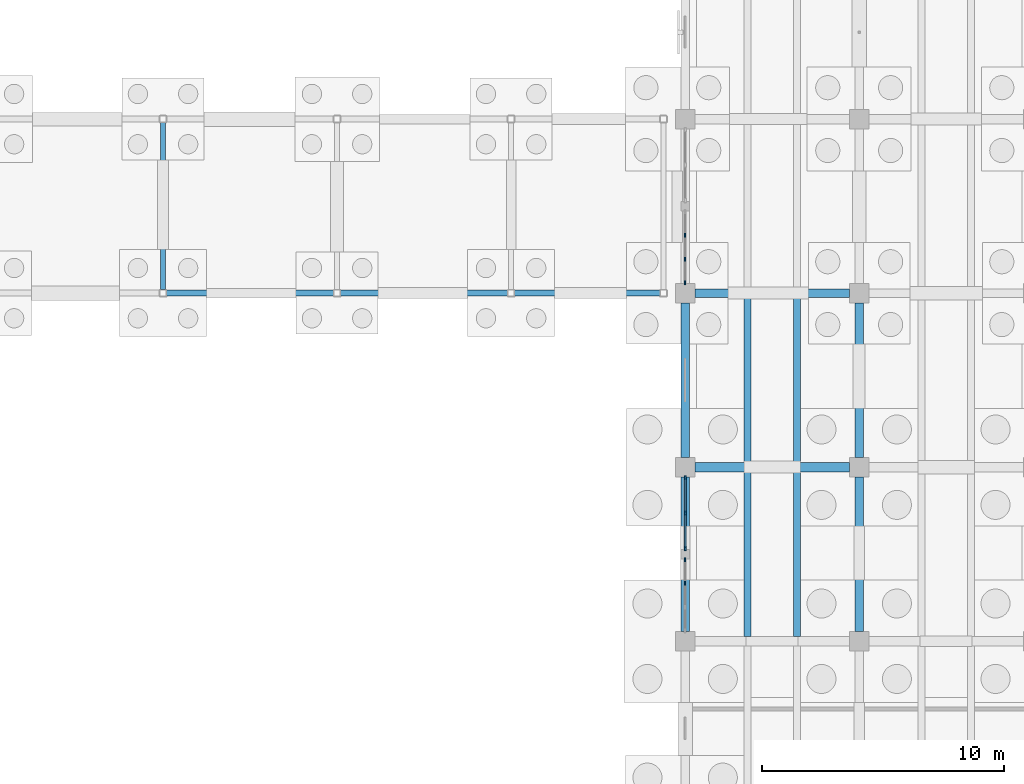
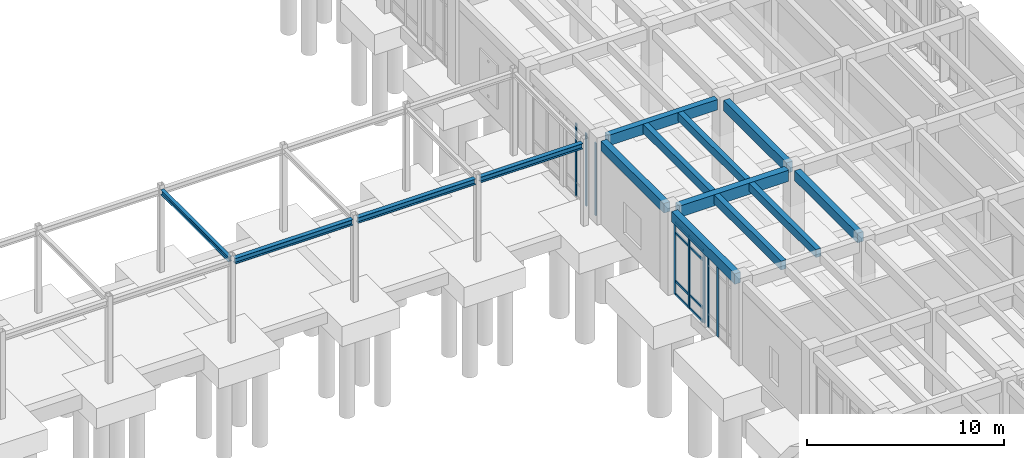
# One storey, part 38 of 93: 16 members, 14 beams, 3 elements without a shape of their own.
"""IFC4 building model written with IfcOpenShell, lengths in metres."""

from ifc_helpers import new_model, si_unit, direction, frame, origin, origin_2d, place, context, subcontext, project, spatial, rectangle, i_section, extrude, material, layer, layer_set, material_profile, profile_set, type_object, element, aggregate, save


model = new_model("IFC4")

# Units and contexts
model_context = context("Model", 3, precision=1e-05, world=origin(), true_north=direction((0.0, 1.0)))
body_context = subcontext(model_context, "Body", "Model", "MODEL_VIEW")
ifc_project = project(units=[si_unit("LENGTHUNIT", "METRE"), si_unit("AREAUNIT", "SQUARE_METRE"), si_unit("VOLUMEUNIT", "CUBIC_METRE"), si_unit("PLANEANGLEUNIT", "RADIAN"), si_unit("MASSUNIT", "GRAM", prefix="KILO")], contexts=[model_context])

# Site, building, storey
site_placement = place(None, origin())
site = spatial("IfcSite", under=ifc_project, at=site_placement, CompositionType="ELEMENT")
building_placement = place(site_placement, origin())
building = spatial("IfcBuilding", under=site, at=building_placement, Name="Koriwan Promenade Central Fire Station", CompositionType="ELEMENT")
storey_placement = place(building_placement, origin())
storey = spatial("IfcBuildingStorey", under=building, at=storey_placement, Name="L00", CompositionType="ELEMENT", Elevation=0.0)

# Beams
ifc_material_1 = material(Name="Concrete C35/45", Category="concrete")
ifc_material_profile_1 = material_profile(ifc_material_1, rectangle(XDim=0.300048828125, YDim=0.5, at=origin_2d()), Name="RC-BM-300x500")
ifc_profile_set_1 = profile_set([ifc_material_profile_1], Name="Concrete C35/45")
beam_type_1 = type_object("IfcBeamType", Name="Beam_RC-BM-300x500", PredefinedType="JOIST", material=ifc_profile_set_1)
beam_1_placement = place(storey_placement, frame((155.823974609375, 29.0, 4.89990234375), z_axis=(0.0, 1.0, 0.0), x_axis=(-1.0, 0.0, 0.0)))
element("IfcBeam", 1, at=beam_1_placement, inside=storey, type_object=beam_type_1, Name="V5 L00 secondary joist 583", PredefinedType="JOIST", context=body_context, shape_type="SweptSolid", body=[
    extrude(rectangle(XDim=0.300048828125, YDim=0.5, at=origin_2d()), origin(), (0.0, 0.0, 1.0), 6.800048828125),
])
beam_2_placement = place(storey_placement, frame((155.823974609375, 36.199951171875, 4.89990234375), z_axis=(0.0, 1.0, 0.0), x_axis=(-1.0, 0.0, 0.0)))
element("IfcBeam", 2, at=beam_2_placement, inside=storey, type_object=beam_type_1, Name="V5 L00 secondary joist 589", PredefinedType="JOIST", context=body_context, shape_type="SweptSolid", body=[
    extrude(rectangle(XDim=0.300048828125, YDim=0.5, at=origin_2d()), origin(), (0.0, 0.0, 1.0), 6.824951171875),
])
ifc_material_profile_2 = material_profile(ifc_material_1, rectangle(XDim=0.300048828125, YDim=0.550048828125, at=origin_2d()), Name="RC-BM-300x550")
ifc_profile_set_2 = profile_set([ifc_material_profile_2], Name="Concrete C35/45")
beam_type_2 = type_object("IfcBeamType", Name="Beam_RC-BM-300x550", PredefinedType="JOIST", material=ifc_profile_set_2)
beam_3_placement = place(storey_placement, frame((153.77587890625, 29.0, 4.875), z_axis=(0.0, 1.0, 0.0), x_axis=(-1.0, 0.0, 0.0)))
element("IfcBeam", 3, at=beam_3_placement, inside=storey, type_object=beam_type_2, Name="V5 L00 secondary joist 582", PredefinedType="JOIST", context=body_context, shape_type="SweptSolid", body=[
    extrude(rectangle(XDim=0.300048828125, YDim=0.550048828125, at=origin_2d()), origin(), (0.0, 0.0, 1.0), 6.800048828125),
])
beam_4_placement = place(storey_placement, frame((153.77587890625, 36.199951171875, 4.875), z_axis=(0.0, 1.0, 0.0), x_axis=(-1.0, 0.0, 0.0)))
element("IfcBeam", 4, at=beam_4_placement, inside=storey, type_object=beam_type_2, Name="V5 L00 secondary joist 588", PredefinedType="JOIST", context=body_context, shape_type="SweptSolid", body=[
    extrude(rectangle(XDim=0.300048828125, YDim=0.550048828125, at=origin_2d()), origin(), (0.0, 0.0, 1.0), 6.824951171875),
])
ifc_material_profile_3 = material_profile(ifc_material_1, rectangle(XDim=0.35009765625, YDim=0.60009765625, at=origin_2d()), Name="RC-BM-350x600")
ifc_profile_set_3 = profile_set([ifc_material_profile_3], Name="Concrete C35/45")
beam_type_3 = type_object("IfcBeamType", Name="Beam_RC-BM-350x600", PredefinedType="BEAM", material=ifc_profile_set_3)
for number, where, z_axis, x_axis, name in (
    (5, (151.199951171875, 36.39990234375, 4.85009765625), (0.0, 1.0, 0.0), (-1.0, 0.0, 0.0), "V5 L00 girder Y-524"),
    (6, (158.39990234375, 29.199951171875, 4.85009765625), (0.0, 1.0, 0.0), (-1.0, 0.0, 0.0), "V5 L00 girder Y-534"),
):
    element("IfcBeam", number, at=place(storey_placement, frame(where, z_axis=z_axis, x_axis=x_axis)), inside=storey, type_object=beam_type_3, Name=name, PredefinedType="BEAM", context=body_context, shape_type="SweptSolid", body=[
        extrude(rectangle(XDim=0.35009765625, YDim=0.60009765625, at=origin_2d()), origin(), (0.0, 0.0, 1.0), 6.400146484375),
    ])
ifc_material_profile_4 = material_profile(ifc_material_1, rectangle(XDim=0.35009765625, YDim=0.64990234375, at=origin_2d()), Name="RC-BM-350x650")
ifc_profile_set_4 = profile_set([ifc_material_profile_4], Name="Concrete C35/45")
beam_type_4 = type_object("IfcBeamType", Name="Beam_RC-BM-350x650", PredefinedType="BEAM", material=ifc_profile_set_4)
for number, where, z_axis, x_axis, name in (
    (7, (151.199951171875, 29.199951171875, 4.824951171875), (0.0, 1.0, 0.0), (-1.0, 0.0, 0.0), "V5 L00 girder Y-523"),
    (8, (158.39990234375, 36.39990234375, 4.824951171875), (0.0, 1.0, 0.0), (-1.0, 0.0, 0.0), "V5 L00 girder Y-535"),
):
    element("IfcBeam", number, at=place(storey_placement, frame(where, z_axis=z_axis, x_axis=x_axis)), inside=storey, type_object=beam_type_4, Name=name, PredefinedType="BEAM", context=body_context, shape_type="SweptSolid", body=[
        extrude(rectangle(XDim=0.35009765625, YDim=0.64990234375, at=origin_2d()), origin(), (0.0, 0.0, 1.0), 6.400146484375),
    ])
ifc_material_profile_5 = material_profile(ifc_material_1, rectangle(XDim=0.39990234375, YDim=0.699951171875, at=origin_2d()), Name="RC-BM-400x700")
ifc_profile_set_5 = profile_set([ifc_material_profile_5], Name="Concrete C35/45")
beam_type_5 = type_object("IfcBeamType", Name="Beam_RC-BM-400x700", PredefinedType="BEAM", material=ifc_profile_set_5)
beam_5_placement = place(storey_placement, frame((151.60009765625, 36.0, 4.800048828125), z_axis=(1.0, 0.0, 0.0), x_axis=(0.0, 1.0, 0.0)))
element("IfcBeam", 9, at=beam_5_placement, inside=storey, type_object=beam_type_5, Name="V5 L00 girder X-496", PredefinedType="BEAM", context=body_context, shape_type="SweptSolid", body=[
    extrude(rectangle(XDim=0.39990234375, YDim=0.699951171875, at=origin_2d()), origin(), (0.0, 0.0, 1.0), 6.39990234375),
])
ifc_material_profile_6 = material_profile(ifc_material_1, rectangle(XDim=0.35009765625, YDim=0.64990234375, at=origin_2d()), Name="RC-SP-350x650")
ifc_profile_set_6 = profile_set([ifc_material_profile_6], Name="Concrete C35/45")
beam_type_6 = type_object("IfcBeamType", Name="Beam_RC-SP-350x650", PredefinedType="SPANDREL", material=ifc_profile_set_6)
beam_6_placement = place(storey_placement, frame((151.60009765625, 43.199951171875, 4.824951171875), z_axis=(1.0, 0.0, 0.0), x_axis=(0.0, 1.0, 0.0)))
element("IfcBeam", 10, at=beam_6_placement, inside=storey, type_object=beam_type_6, Name="V5 L00 girder X-499", PredefinedType="SPANDREL", context=body_context, shape_type="SweptSolid", body=[
    extrude(rectangle(XDim=0.35009765625, YDim=0.64990234375, at=origin_2d()), origin(), (0.0, 0.0, 1.0), 6.39990234375),
])

# Curtain wall, members
ifc_material_2 = material(Name="Aluminium EN AW-6063-T6 and low-E glazing", Category="aluminium")
ifc_layer_1 = layer(ifc_material_2, 0.159912109375, Name="Aluminium EN AW-6063-T6 and low-E glazing")
ifc_layer_set_1 = layer_set([ifc_layer_1], Name="Aluminium EN AW-6063-T6 and low-E glazing")
curtain_wall_type_1 = type_object("IfcCurtainWallType", Name="CurtainWall_51_300x449", PredefinedType="USERDEFINED", material=ifc_layer_set_1)
curtain_wall_1_placement = place(storey_placement, origin())
curtain_wall_1 = element("IfcCurtainWall", 11, at=curtain_wall_1_placement, inside=storey, type_object=curtain_wall_type_1, Name="V5 L00 unitised curtain wall 137", ObjectType="UNITISED CURTAIN WALL", PredefinedType="USERDEFINED")
ifc_material_3 = material(Name="Aluminium EN AW-6063-T6", Category="aluminium")
ifc_material_profile_7 = material_profile(ifc_material_3, rectangle(XDim=0.06494140625, YDim=0.159912109375, at=origin_2d()), Name="ALU-MUL-65x160")
ifc_profile_set_7 = profile_set([ifc_material_profile_7], Name="Aluminium EN AW-6063-T6")
member_type_1 = type_object("IfcMemberType", Name="CWMullion_ALU-MUL-65x160", PredefinedType="MULLION", material=ifc_profile_set_7)
member_1_placement = place(storey_placement, frame((151.199951171875, 31.199951171875, 0.0), z_axis=(0.0, 0.0, 1.0), x_axis=(-1.0, 0.0, 0.0)))
member_1 = element("IfcMember", 12, at=member_1_placement, type_object=member_type_1, Name="CW-51 mullion 3", PredefinedType="MULLION", context=body_context, shape_type="SweptSolid", body=[
    extrude(rectangle(XDim=0.06494140625, YDim=0.159912109375, at=origin_2d()), origin(), (0.0, 0.0, 1.0), 4.489990234375),
])
member_2_placement = place(storey_placement, frame((151.199951171875, 32.16748046875, 0.0), z_axis=(0.0, 0.0, 1.0), x_axis=(-1.0, 0.0, 0.0)))
member_2 = element("IfcMember", 13, at=member_2_placement, type_object=member_type_1, Name="CW-51 mullion 4", PredefinedType="MULLION", context=body_context, shape_type="SweptSolid", body=[
    extrude(rectangle(XDim=0.06494140625, YDim=0.159912109375, at=origin_2d()), origin(), (0.0, 0.0, 1.0), 4.489990234375),
])
aggregate(curtain_wall_1, [member_1, member_2])

curtain_wall_2_placement = place(storey_placement, origin())
curtain_wall_2 = element("IfcCurtainWall", 14, at=curtain_wall_2_placement, inside=storey, type_object=curtain_wall_type_1, Name="V5 L00 unitised curtain wall 139", ObjectType="UNITISED CURTAIN WALL", PredefinedType="USERDEFINED")
member_3_placement = place(storey_placement, frame((151.199951171875, 43.632568359375, 0.0), z_axis=(0.0, 0.0, 1.0), x_axis=(-1.0, 0.0, 0.0)))
member_3 = element("IfcMember", 15, at=member_3_placement, type_object=member_type_1, Name="CW-51 mullion 1", PredefinedType="MULLION", context=body_context, shape_type="SweptSolid", body=[
    extrude(rectangle(XDim=0.06494140625, YDim=0.159912109375, at=origin_2d()), origin(), (0.0, 0.0, 1.0), 4.489990234375),
])
member_4_placement = place(storey_placement, frame((151.199951171875, 44.60009765625, 0.0), z_axis=(0.0, 0.0, 1.0), x_axis=(-1.0, 0.0, 0.0)))
member_4 = element("IfcMember", 16, at=member_4_placement, type_object=member_type_1, Name="CW-51 mullion 2", PredefinedType="MULLION", context=body_context, shape_type="SweptSolid", body=[
    extrude(rectangle(XDim=0.06494140625, YDim=0.159912109375, at=origin_2d()), origin(), (0.0, 0.0, 1.0), 4.489990234375),
])
member_5_placement = place(storey_placement, frame((151.199951171875, 45.60009765625, 0.0), z_axis=(0.0, 0.0, 1.0), x_axis=(-1.0, 0.0, 0.0)))
member_5 = element("IfcMember", 17, at=member_5_placement, type_object=member_type_1, Name="CW-51 mullion 3", PredefinedType="MULLION", context=body_context, shape_type="SweptSolid", body=[
    extrude(rectangle(XDim=0.06494140625, YDim=0.159912109375, at=origin_2d()), origin(), (0.0, 0.0, 1.0), 4.489990234375),
])
aggregate(curtain_wall_2, [member_3, member_4, member_5])

ifc_layer_2 = layer(ifc_material_2, 0.159912109375, Name="Aluminium EN AW-6063-T6 and low-E glazing")
ifc_layer_set_2 = layer_set([ifc_layer_2], Name="Aluminium EN AW-6063-T6 and low-E glazing")
curtain_wall_type_2 = type_object("IfcCurtainWallType", Name="CurtainWall_52_300x449", PredefinedType="USERDEFINED", material=ifc_layer_set_2)
curtain_wall_3_placement = place(storey_placement, origin())
curtain_wall_3 = element("IfcCurtainWall", 18, at=curtain_wall_3_placement, inside=storey, type_object=curtain_wall_type_2, Name="V5 L00 unitised curtain wall 138", ObjectType="UNITISED CURTAIN WALL", PredefinedType="USERDEFINED")
ifc_material_profile_8 = material_profile(ifc_material_3, rectangle(XDim=0.074951171875, YDim=0.179931640625, at=origin_2d()), Name="ALU-MUL-75x180")
ifc_profile_set_8 = profile_set([ifc_material_profile_8], Name="Aluminium EN AW-6063-T6")
member_type_2 = type_object("IfcMemberType", Name="CWMullion_ALU-MUL-75x180", PredefinedType="MULLION", material=ifc_profile_set_8)
member_6_placement = place(storey_placement, frame((151.199951171875, 32.637451171875, 0.0), z_axis=(0.0, 0.0, 1.0), x_axis=(-1.0, 0.0, 0.0)))
member_6 = element("IfcMember", 19, at=member_6_placement, type_object=member_type_2, Name="CW-52 mullion 1", PredefinedType="MULLION", context=body_context, shape_type="SweptSolid", body=[
    extrude(rectangle(XDim=0.074951171875, YDim=0.179931640625, at=origin_2d()), origin(), (0.0, 0.0, 1.0), 4.489990234375),
])
member_7_placement = place(storey_placement, frame((151.199951171875, 34.10009765625, 0.0), z_axis=(0.0, 0.0, 1.0), x_axis=(-1.0, 0.0, 0.0)))
member_7 = element("IfcMember", 20, at=member_7_placement, type_object=member_type_2, Name="CW-52 mullion 2", PredefinedType="MULLION", context=body_context, shape_type="SweptSolid", body=[
    extrude(rectangle(XDim=0.074951171875, YDim=0.179931640625, at=origin_2d()), origin(), (0.0, 0.0, 1.0), 4.489990234375),
])
member_8_placement = place(storey_placement, frame((151.199951171875, 35.5625, 0.0), z_axis=(0.0, 0.0, 1.0), x_axis=(-1.0, 0.0, 0.0)))
member_8 = element("IfcMember", 21, at=member_8_placement, type_object=member_type_2, Name="CW-52 mullion 3", PredefinedType="MULLION", context=body_context, shape_type="SweptSolid", body=[
    extrude(rectangle(XDim=0.074951171875, YDim=0.179931640625, at=origin_2d()), origin(), (0.0, 0.0, 1.0), 4.489990234375),
])
ifc_material_profile_9 = material_profile(ifc_material_3, rectangle(XDim=0.074951171875, YDim=0.139892578125, at=origin_2d()), Name="ALU-TRN-75x140")
ifc_profile_set_9 = profile_set([ifc_material_profile_9], Name="Aluminium EN AW-6063-T6")
member_type_3 = type_object("IfcMemberType", Name="CWTransom_ALU-TRN-75x140", PredefinedType="USERDEFINED", material=ifc_profile_set_9)
member_9_placement = place(storey_placement, frame((151.199951171875, 32.675048828125, 0.03759765625), z_axis=(0.0, 1.0, 0.0), x_axis=(-1.0, 0.0, 0.0)))
member_9 = element("IfcMember", 22, at=member_9_placement, type_object=member_type_3, Name="CW-52 transom 1.1", ObjectType="TRANSOM", PredefinedType="USERDEFINED", context=body_context, shape_type="SweptSolid", body=[
    extrude(rectangle(XDim=0.074951171875, YDim=0.139892578125, at=origin_2d()), origin(), (0.0, 0.0, 1.0), 1.387451171875),
])
member_10_placement = place(storey_placement, frame((151.199951171875, 32.675048828125, 0.85009765625), z_axis=(0.0, 1.0, 0.0), x_axis=(-1.0, 0.0, 0.0)))
member_10 = element("IfcMember", 23, at=member_10_placement, type_object=member_type_3, Name="CW-52 transom 1.2", ObjectType="TRANSOM", PredefinedType="USERDEFINED", context=body_context, shape_type="SweptSolid", body=[
    extrude(rectangle(XDim=0.074951171875, YDim=0.139892578125, at=origin_2d()), origin(), (0.0, 0.0, 1.0), 1.387451171875),
])
member_11_placement = place(storey_placement, frame((151.199951171875, 32.675048828125, 3.840087890625), z_axis=(0.0, 1.0, 0.0), x_axis=(-1.0, 0.0, 0.0)))
member_11 = element("IfcMember", 24, at=member_11_placement, type_object=member_type_3, Name="CW-52 transom 1.3", ObjectType="TRANSOM", PredefinedType="USERDEFINED", context=body_context, shape_type="SweptSolid", body=[
    extrude(rectangle(XDim=0.074951171875, YDim=0.139892578125, at=origin_2d()), origin(), (0.0, 0.0, 1.0), 1.387451171875),
])
member_12_placement = place(storey_placement, frame((151.199951171875, 32.675048828125, 4.452392578125), z_axis=(0.0, 1.0, 0.0), x_axis=(-1.0, 0.0, 0.0)))
member_12 = element("IfcMember", 25, at=member_12_placement, type_object=member_type_3, Name="CW-52 transom 1.4", ObjectType="TRANSOM", PredefinedType="USERDEFINED", context=body_context, shape_type="SweptSolid", body=[
    extrude(rectangle(XDim=0.074951171875, YDim=0.139892578125, at=origin_2d()), origin(), (0.0, 0.0, 1.0), 1.387451171875),
])
member_13_placement = place(storey_placement, frame((151.199951171875, 34.137451171875, 0.03759765625), z_axis=(0.0, 1.0, 0.0), x_axis=(-1.0, 0.0, 0.0)))
member_13 = element("IfcMember", 26, at=member_13_placement, type_object=member_type_3, Name="CW-52 transom 2.1", ObjectType="TRANSOM", PredefinedType="USERDEFINED", context=body_context, shape_type="SweptSolid", body=[
    extrude(rectangle(XDim=0.074951171875, YDim=0.139892578125, at=origin_2d()), origin(), (0.0, 0.0, 1.0), 1.387451171875),
])
member_14_placement = place(storey_placement, frame((151.199951171875, 34.137451171875, 0.85009765625), z_axis=(0.0, 1.0, 0.0), x_axis=(-1.0, 0.0, 0.0)))
member_14 = element("IfcMember", 27, at=member_14_placement, type_object=member_type_3, Name="CW-52 transom 2.2", ObjectType="TRANSOM", PredefinedType="USERDEFINED", context=body_context, shape_type="SweptSolid", body=[
    extrude(rectangle(XDim=0.074951171875, YDim=0.139892578125, at=origin_2d()), origin(), (0.0, 0.0, 1.0), 1.387451171875),
])
member_15_placement = place(storey_placement, frame((151.199951171875, 34.137451171875, 3.840087890625), z_axis=(0.0, 1.0, 0.0), x_axis=(-1.0, 0.0, 0.0)))
member_15 = element("IfcMember", 28, at=member_15_placement, type_object=member_type_3, Name="CW-52 transom 2.3", ObjectType="TRANSOM", PredefinedType="USERDEFINED", context=body_context, shape_type="SweptSolid", body=[
    extrude(rectangle(XDim=0.074951171875, YDim=0.139892578125, at=origin_2d()), origin(), (0.0, 0.0, 1.0), 1.387451171875),
])
member_16_placement = place(storey_placement, frame((151.199951171875, 34.137451171875, 4.452392578125), z_axis=(0.0, 1.0, 0.0), x_axis=(-1.0, 0.0, 0.0)))
member_16 = element("IfcMember", 29, at=member_16_placement, type_object=member_type_3, Name="CW-52 transom 2.4", ObjectType="TRANSOM", PredefinedType="USERDEFINED", context=body_context, shape_type="SweptSolid", body=[
    extrude(rectangle(XDim=0.074951171875, YDim=0.139892578125, at=origin_2d()), origin(), (0.0, 0.0, 1.0), 1.387451171875),
])
aggregate(curtain_wall_3, [member_6, member_7, member_8, member_9, member_10, member_11, member_12, member_13, member_14, member_15, member_16])

# Beams
ifc_material_4 = material(Name="Steel ASTM A992 Grade 50", Category="steel")
ifc_material_profile_10 = material_profile(ifc_material_4, i_section(OverallWidth=0.202880859375, OverallDepth=0.302978515625, WebThickness=0.007568359375, FlangeThickness=0.01318359375, FilletRadius=0.014892578125, at=origin_2d()), Name="W310x60")
ifc_profile_set_10 = profile_set([ifc_material_profile_10], Name="Steel ASTM A992 Grade 50")
beam_type_7 = type_object("IfcBeamType", Name="SteelBeam_W310x60", PredefinedType="JOIST", material=ifc_profile_set_10)
beam_7_placement = place(storey_placement, frame((129.60009765625, 43.35009765625, 4.998046875), z_axis=(0.0, 1.0, 0.0), x_axis=(-1.0, 0.0, 0.0)))
element("IfcBeam", 30, at=beam_7_placement, inside=storey, type_object=beam_type_7, Name="COL_CHARBAGH arcade cross beam 1139", PredefinedType="JOIST", context=body_context, shape_type="SweptSolid", body=[
    extrude(i_section(OverallWidth=0.202880859375, OverallDepth=0.302978515625, WebThickness=0.007568359375, FlangeThickness=0.01318359375, FilletRadius=0.014892578125, at=origin_2d()), origin(), (0.0, 0.0, 1.0), 6.89990234375),
])
ifc_material_profile_11 = material_profile(ifc_material_4, i_section(OverallWidth=0.25390625, OverallDepth=0.35302734375, WebThickness=0.009521484375, FlangeThickness=0.016357421875, FilletRadius=0.014892578125, at=origin_2d()), Name="W360x91")
ifc_profile_set_11 = profile_set([ifc_material_profile_11], Name="Steel ASTM A992 Grade 50")
beam_type_8 = type_object("IfcBeamType", Name="SteelBeam_W360x91", PredefinedType="BEAM", material=ifc_profile_set_11)
beam_8_placement = place(storey_placement, frame((129.75, 43.199951171875, 4.972900390625), z_axis=(1.0, 0.0, 0.0), x_axis=(0.0, 1.0, 0.0)))
element("IfcBeam", 31, at=beam_8_placement, inside=storey, type_object=beam_type_8, Name="COL_CHARBAGH arcade beam 1119", PredefinedType="BEAM", context=body_context, shape_type="SweptSolid", body=[
    extrude(i_section(OverallWidth=0.25390625, OverallDepth=0.35302734375, WebThickness=0.009521484375, FlangeThickness=0.016357421875, FilletRadius=0.014892578125, at=origin_2d()), origin(), (0.0, 0.0, 1.0), 6.89990234375),
])
beam_9_placement = place(storey_placement, frame((136.949951171875, 43.199951171875, 4.972900390625), z_axis=(1.0, 0.0, 0.0), x_axis=(0.0, 1.0, 0.0)))
element("IfcBeam", 32, at=beam_9_placement, inside=storey, type_object=beam_type_8, Name="COL_CHARBAGH arcade beam 1121", PredefinedType="BEAM", context=body_context, shape_type="SweptSolid", body=[
    extrude(i_section(OverallWidth=0.25390625, OverallDepth=0.35302734375, WebThickness=0.009521484375, FlangeThickness=0.016357421875, FilletRadius=0.014892578125, at=origin_2d()), origin(), (0.0, 0.0, 1.0), 6.900146484375),
])
beam_10_placement = place(storey_placement, frame((144.14990234375, 43.199951171875, 4.972900390625), z_axis=(1.0, 0.0, 0.0), x_axis=(0.0, 1.0, 0.0)))
element("IfcBeam", 33, at=beam_10_placement, inside=storey, type_object=beam_type_8, Name="COL_CHARBAGH arcade beam 1123", PredefinedType="BEAM", context=body_context, shape_type="SweptSolid", body=[
    extrude(i_section(OverallWidth=0.25390625, OverallDepth=0.35302734375, WebThickness=0.009521484375, FlangeThickness=0.016357421875, FilletRadius=0.014892578125, at=origin_2d()), origin(), (0.0, 0.0, 1.0), 6.0),
])

save(model, "model.ifc")
